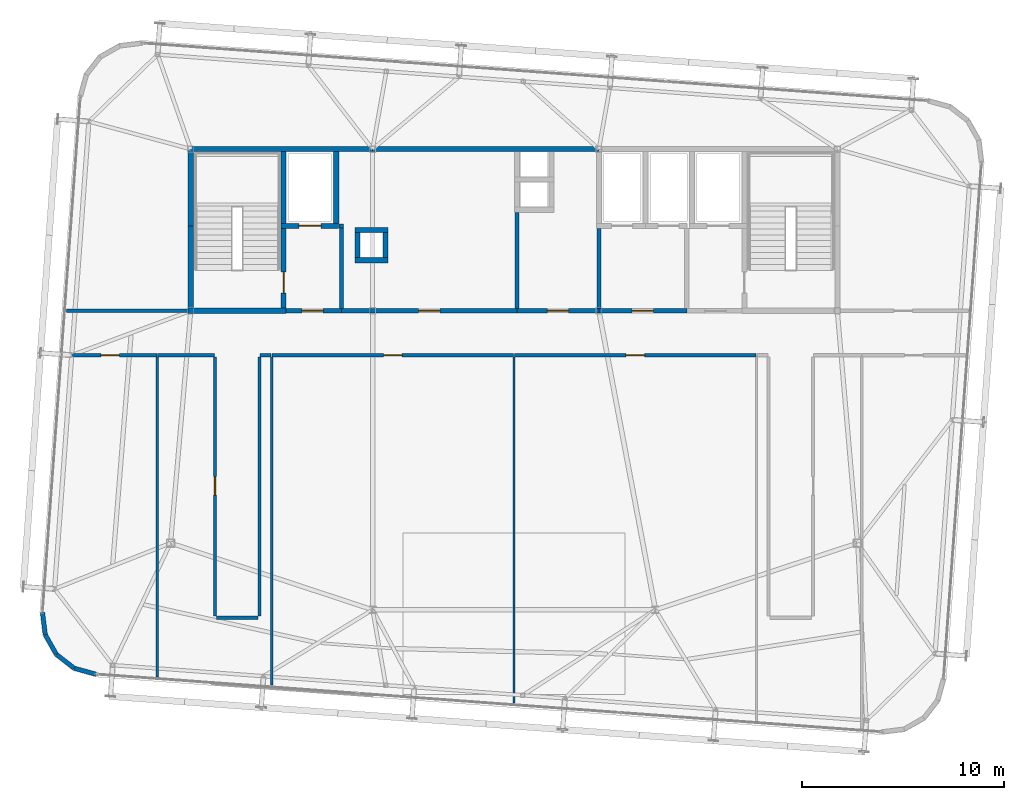
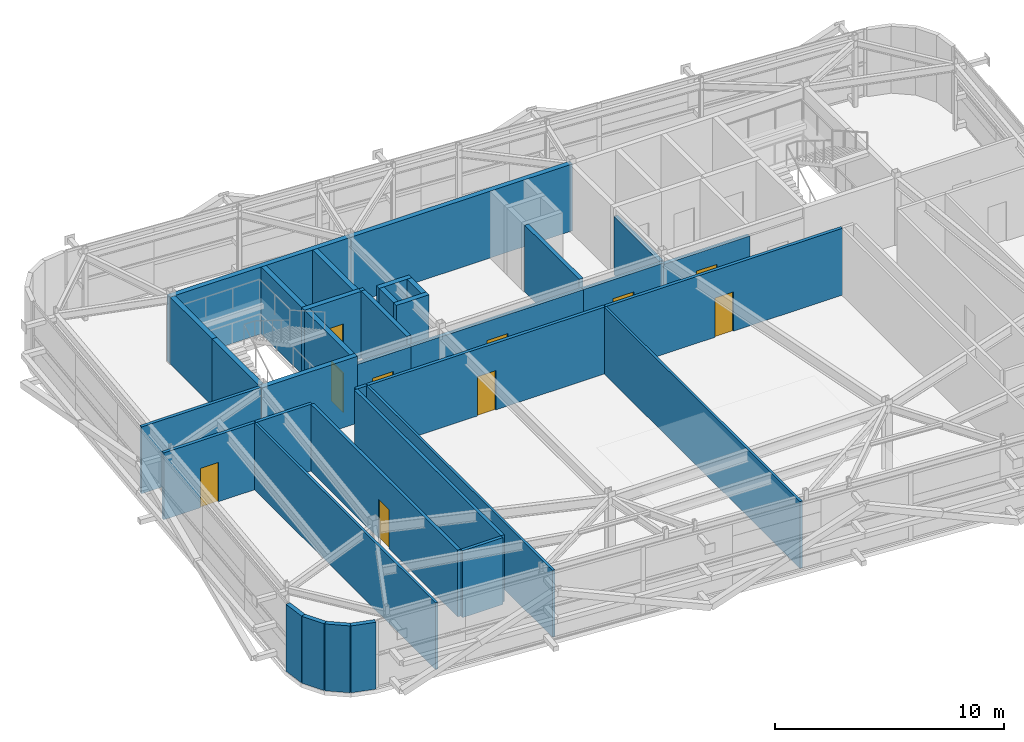
# One storey, part 31 of 35: 37 walls, 10 doors, 10 openings.
"""IFC4 building model written with IfcOpenShell, lengths in metres."""

from ifc_helpers import new_model, si_unit, direction, frame, frame_2d, origin, place, context, subcontext, project, spatial, rectangle, extrude, source, transform, mapped, material, layer, layer_set, type_object, element, fill, save


model = new_model("IFC4")

# Units and contexts
model_context = context("Model", 3, precision=1e-05, world=origin(), true_north=direction((0.0, 1.0)))
body_context = subcontext(model_context, "Body", "Model", "MODEL_VIEW")
ifc_project = project(units=[si_unit("LENGTHUNIT", "METRE"), si_unit("AREAUNIT", "SQUARE_METRE"), si_unit("VOLUMEUNIT", "CUBIC_METRE"), si_unit("PLANEANGLEUNIT", "RADIAN"), si_unit("MASSUNIT", "GRAM", prefix="KILO")], contexts=[model_context])

# Site, building, storey
site_placement = place(None, origin())
site = spatial("IfcSite", under=ifc_project, at=site_placement, CompositionType="ELEMENT")
building_placement = place(site_placement, origin())
building = spatial("IfcBuilding", under=site, at=building_placement, Name="Taldren Reach Tower", CompositionType="ELEMENT")
storey_placement = place(building_placement, frame((0.0, 0.0, 249.199951171875)))
storey = spatial("IfcBuildingStorey", under=building, at=storey_placement, Name="L76", CompositionType="ELEMENT", Elevation=249.199951171875)

# Walls
ifc_material_1 = material(Name="Pale Champagne Anodised Aluminium Cladding", Category="aluminium")
ifc_layer_1 = layer(ifc_material_1, 0.04, Name="Pale Champagne Anodised Aluminium Cladding", Category="aluminium")
ifc_material_2 = material(Name="Mineral Wool Acoustic Insulation", Category="insulation")
ifc_layer_2 = layer(ifc_material_2, 0.06, Name="Mineral Wool Acoustic Insulation", Category="insulation")
ifc_material_3 = material(Name="Steel Gr 350 (C350L0)", Category="steel")
ifc_layer_3 = layer(ifc_material_3, 0.12, Name="Steel Gr 350 (C350L0)", Category="steel")
ifc_layer_set_1 = layer_set([ifc_layer_1, ifc_layer_2, ifc_layer_3], Name="Pale Champagne Aluminium Cladding and Steel Gr 350 Stud Framing")
wall_type_1 = type_object("IfcWallType", Name="EW-CRN-220", PredefinedType="SOLIDWALL", material=ifc_layer_set_1)
shared_shape_1 = source(origin(), body_context, "Body", "SweptSolid", [
    extrude(rectangle(XDim=1.115966796875, YDim=0.219970703125, at=frame_2d((0.55810546875, 0.0))), origin(), (0.0, 0.0, 1.0), 3.570068359375),
])
for number, where, z_axis, x_axis, name in (
    (1, (11.66259765625, 9.072021484375, 0.0), (0.0, 0.0, 1.0), (0.122742076028, -0.992438604032, 0.0), "Rounded-corner pale-metal facade wall L76-SW1"),
    (2, (11.799560546875, 7.964599609375, 0.0), (0.0, 0.0, 1.0), (0.493073284892, -0.869987779067, 0.0), "Rounded-corner pale-metal facade wall L76-SW2"),
    (3, (12.349853515625, 6.99365234375, 0.0), (0.0, 0.0, 1.0), (0.788597772321, -0.614909386406, 0.0), "Rounded-corner pale-metal facade wall L76-SW3"),
):
    element("IfcWall", number, at=place(storey_placement, frame(where, z_axis=z_axis, x_axis=x_axis)), inside=storey, type_object=wall_type_1, Name=name, PredefinedType="SOLIDWALL", context=body_context, shape_type="MappedRepresentation", body=[
        mapped(shared_shape_1, transform((0.0, 0.0, 0.0), scale=1.0)),
    ])
shared_shape_2 = source(origin(), body_context, "Body", "SweptSolid", [
    extrude(rectangle(XDim=1.11572265625, YDim=0.219970703125, at=frame_2d((0.557861328125, 0.0))), origin(), (0.0, 0.0, 1.0), 3.570068359375),
])
wall_1_placement = place(storey_placement, frame((13.22998046875, 6.307373046875, 0.0), z_axis=(0.0, 0.0, 1.0), x_axis=(0.963890028874, -0.266300605026, 0.0)))
element("IfcWall", 4, at=wall_1_placement, inside=storey, type_object=wall_type_1, Name="Rounded-corner pale-metal facade wall L76-SW4", PredefinedType="SOLIDWALL", context=body_context, shape_type="MappedRepresentation", body=[
    mapped(shared_shape_2, transform((0.0, 0.0, 0.0), scale=1.0)),
])
ifc_material_4 = material(Name="Concrete S65 (65 MPa)", Category="concrete")
ifc_layer_4 = layer(ifc_material_4, 0.25)
ifc_layer_set_2 = layer_set([ifc_layer_4], Name="Concrete S65 (65 MPa)")
wall_type_2 = type_object("IfcWallType", Name="IW-CORE-250", PredefinedType="SHEAR", material=ifc_layer_set_2)
shared_shape_3 = source(origin(), body_context, "Body", "SweptSolid", [
    extrude(rectangle(XDim=9.125, YDim=0.25, at=frame_2d((4.5625, 0.0))), origin(), (0.0, 0.0, 1.0), 3.570068359375),
])
wall_2_placement = place(storey_placement, frame((18.875, 32.0, 0.0), z_axis=(0.0, 0.0, 1.0), x_axis=(1.0, 0.0, 0.0)))
element("IfcWall", 5, at=wall_2_placement, inside=storey, type_object=wall_type_2, Name="Rear Core Shear Wall W-CORE-L76-NORTH1", PredefinedType="SHEAR", context=body_context, shape_type="MappedRepresentation", body=[
    mapped(shared_shape_3, transform((0.0, 0.0, 0.0), scale=1.0)),
])
shared_shape_4 = source(origin(), body_context, "Body", "SweptSolid", [
    extrude(rectangle(XDim=11.199951171875, YDim=0.25, at=frame_2d((5.60009765625, 0.0))), origin(), (0.0, 0.0, 1.0), 3.570068359375),
])
wall_3_placement = place(storey_placement, frame((28.0, 32.0, 0.0), z_axis=(0.0, 0.0, 1.0), x_axis=(1.0, 0.0, 0.0)))
element("IfcWall", 6, at=wall_3_placement, inside=storey, type_object=wall_type_2, Name="Rear Core Shear Wall W-CORE-L76-NORTH2", PredefinedType="SHEAR", context=body_context, shape_type="MappedRepresentation", body=[
    mapped(shared_shape_4, transform((0.0, 0.0, 0.0), scale=1.0)),
])
shared_shape_5 = source(origin(), body_context, "Body", "SweptSolid", [
    extrude(rectangle(XDim=4.074951171875, YDim=0.25, at=frame_2d((2.03759765625, 0.0))), origin(), (0.0, 0.0, 1.0), 3.570068359375),
])
wall_4_placement = place(storey_placement, frame((19.0, 24.125, 0.0), z_axis=(0.0, 0.0, 1.0), x_axis=(0.0, 1.0, 0.0)))
element("IfcWall", 7, at=wall_4_placement, inside=storey, type_object=wall_type_2, Name="Rear Core Shear Wall W-CORE-L76-WEST1", PredefinedType="SHEAR", context=body_context, shape_type="MappedRepresentation", body=[
    mapped(shared_shape_5, transform((0.0, 0.0, 0.0), scale=1.0)),
])
shared_shape_6 = source(origin(), body_context, "Body", "SweptSolid", [
    extrude(rectangle(XDim=3.675048828125, YDim=0.25, at=frame_2d((1.83740234375, 0.0))), origin(), (0.0, 0.0, 1.0), 3.570068359375),
])
wall_5_placement = place(storey_placement, frame((19.0, 28.199951171875, 0.0), z_axis=(0.0, 0.0, 1.0), x_axis=(0.0, 1.0, 0.0)))
element("IfcWall", 8, at=wall_5_placement, inside=storey, type_object=wall_type_2, Name="Rear Core Shear Wall W-CORE-L76-WEST2", PredefinedType="SHEAR", context=body_context, shape_type="MappedRepresentation", body=[
    mapped(shared_shape_6, transform((0.0, 0.0, 0.0), scale=1.0)),
])
shared_shape_7 = source(origin(), body_context, "Body", "SweptSolid", [
    extrude(rectangle(XDim=3.550048828125, YDim=0.25, at=frame_2d((1.77490234375, 0.0))), origin(), (0.0, 0.0, 1.0), 3.570068359375),
])
for number, where, z_axis, x_axis, name in (
    (9, (23.60009765625, 28.324951171875, 0.0), (0.0, 0.0, 1.0), (0.0, 1.0, 0.0), "Rear Core Shear Wall W-INT-L76-001"),
    (10, (26.199951171875, 28.324951171875, 0.0), (0.0, 0.0, 1.0), (0.0, 1.0, 0.0), "Rear Core Shear Wall W-INT-L76-005"),
):
    element("IfcWall", number, at=place(storey_placement, frame(where, z_axis=z_axis, x_axis=x_axis)), inside=storey, type_object=wall_type_2, Name=name, PredefinedType="SHEAR", context=body_context, shape_type="MappedRepresentation", body=[
        mapped(shared_shape_7, transform((0.0, 0.0, 0.0), scale=1.0)),
    ])

# Wall, opening, door
shared_shape_8 = source(origin(), body_context, "Body", "SweptSolid", [
    extrude(rectangle(XDim=3.949951171875, YDim=0.25, at=frame_2d((1.97509765625, 0.0))), origin(), (0.0, 0.0, 1.0), 3.570068359375),
])
wall_6_placement = place(storey_placement, frame((23.60009765625, 24.125, 0.0), z_axis=(0.0, 0.0, 1.0), x_axis=(0.0, 1.0, 0.0)))
wall_6 = element("IfcWall", 11, at=wall_6_placement, inside=storey, type_object=wall_type_2, Name="Rear Core Shear Wall W-INT-L76-002", PredefinedType="SHEAR", context=body_context, shape_type="MappedRepresentation", body=[
    mapped(shared_shape_8, transform((0.0, 0.0, 0.0), scale=1.0)),
])
shared_shape_9 = source(origin(), body_context, "Body", "SweptSolid", [
    extrude(rectangle(XDim=1.050048828125, YDim=2.10009765625, at=frame_2d((0.52490234375, 1.050048828125))), frame((0.0, 0.135009765625, 0.0), z_axis=(0.0, -1.0, 0.0), x_axis=(1.0, 0.0, 0.0)), (0.0, 0.0, 1.0), 0.27001953125),
])
opening_1_placement = place(wall_6_placement, frame((0.75, 0.0, 0.0)))
opening_1 = element("IfcOpeningElement", 12, at=opening_1_placement, cuts=wall_6, Name="Opening DF-105", PredefinedType="OPENING", context=body_context, shape_type="MappedRepresentation", body=[
    mapped(shared_shape_9, transform((0.0, 0.0, 0.0), scale=1.0)),
])
ifc_material_5 = material(Name="Fire-Rated Care and Stair Exit Door")
door_type_1 = type_object("IfcDoorType", Name="ID-FIRE-105", OperationType="NOTDEFINED", PredefinedType="DOOR", material=ifc_material_5)
shared_shape_10 = source(origin(), body_context, "Body", "SweptSolid", [
    extrude(rectangle(XDim=1.050048828125, YDim=2.10009765625, at=frame_2d((0.52490234375, 1.050048828125))), frame((0.0, 0.02490234375, 0.0), z_axis=(0.0, -1.0, 0.0), x_axis=(1.0, 0.0, 0.0)), (0.0, 0.0, 1.0), 0.050048828125),
])
door_1_placement = place(opening_1_placement, origin())
door_1 = element("IfcDoor", 13, at=door_1_placement, inside=storey, type_object=door_type_1, Name="Fire Exit Stair Door DR-L76-001", OperationType="SINGLE_SWING_LEFT", OverallHeight=2.10009765625, OverallWidth=1.050048828125, PredefinedType="DOOR", context=body_context, shape_type="MappedRepresentation", body=[
    mapped(shared_shape_10, transform((0.0, 0.0, 0.0), scale=1.0)),
])
fill(opening_1, door_1)

# Wall
shared_shape_11 = source(origin(), body_context, "Body", "SweptSolid", [
    extrude(rectangle(XDim=4.85009765625, YDim=0.25, at=frame_2d((2.425048828125, 0.0))), origin(), (0.0, 0.0, 1.0), 3.570068359375),
])
wall_7_placement = place(storey_placement, frame((18.875, 24.0, 0.0), z_axis=(0.0, 0.0, 1.0), x_axis=(1.0, 0.0, 0.0)))
element("IfcWall", 14, at=wall_7_placement, inside=storey, type_object=wall_type_2, Name="Rear Core Shear Wall W-INT-L76-003", PredefinedType="SHEAR", context=body_context, shape_type="MappedRepresentation", body=[
    mapped(shared_shape_11, transform((0.0, 0.0, 0.0), scale=1.0)),
])

# Wall, opening, door
shared_shape_12 = source(origin(), body_context, "Body", "SweptSolid", [
    extrude(rectangle(XDim=2.849853515625, YDim=0.25, at=frame_2d((1.4248046875, 0.0))), origin(), (0.0, 0.0, 1.0), 3.570068359375),
])
wall_8_placement = place(storey_placement, frame((23.47509765625, 28.199951171875, 0.0), z_axis=(0.0, 0.0, 1.0), x_axis=(1.0, 0.0, 0.0)))
wall_8 = element("IfcWall", 15, at=wall_8_placement, inside=storey, type_object=wall_type_2, Name="Rear Core Shear Wall W-INT-L76-004", PredefinedType="SHEAR", context=body_context, shape_type="MappedRepresentation", body=[
    mapped(shared_shape_12, transform((0.0, 0.0, 0.0), scale=1.0)),
])
shared_shape_13 = source(origin(), body_context, "Body", "SweptSolid", [
    extrude(rectangle(XDim=1.10009765625, YDim=2.14990234375, at=frame_2d((0.550048828125, 1.074951171875))), frame((0.0, 0.135009765625, 0.0), z_axis=(0.0, -1.0, 0.0), x_axis=(1.0, 0.0, 0.0)), (0.0, 0.0, 1.0), 0.27001953125),
])
opening_2_placement = place(wall_8_placement, frame((0.875, 0.0, 0.0)))
opening_2 = element("IfcOpeningElement", 16, at=opening_2_placement, cuts=wall_8, Name="Opening LD-FL1", PredefinedType="OPENING", context=body_context, shape_type="MappedRepresentation", body=[
    mapped(shared_shape_13, transform((0.0, 0.0, 0.0), scale=1.0)),
])
ifc_material_6 = material(Name="Stainless Steel Gr 316 Emergency Lift Landing Door", Category="steel")
door_type_2 = type_object("IfcDoorType", Name="LD-EMG-110", OperationType="SLIDING_TO_LEFT", PredefinedType="DOOR", material=ifc_material_6)
shared_shape_14 = source(origin(), body_context, "Body", "SweptSolid", [
    extrude(rectangle(XDim=1.10009765625, YDim=2.14990234375, at=frame_2d((0.550048828125, 1.074951171875))), frame((0.0, 0.02490234375, 0.0), z_axis=(0.0, -1.0, 0.0), x_axis=(1.0, 0.0, 0.0)), (0.0, 0.0, 1.0), 0.050048828125),
])
door_2_placement = place(opening_2_placement, origin())
door_2 = element("IfcDoor", 17, at=door_2_placement, inside=storey, type_object=door_type_2, Name="Lift Landing Door LD-FL1-L76", OperationType="SLIDING_TO_LEFT", OverallHeight=2.14990234375, OverallWidth=1.10009765625, PredefinedType="DOOR", context=body_context, shape_type="MappedRepresentation", body=[
    mapped(shared_shape_14, transform((0.0, 0.0, 0.0), scale=1.0)),
])
fill(opening_2, door_2)

# Wall
ifc_material_7 = material(Name="Concrete S50 (50 MPa)", Category="concrete")
ifc_layer_5 = layer(ifc_material_7, 0.199951171875)
ifc_layer_set_3 = layer_set([ifc_layer_5], Name="Concrete S50 (50 MPa)")
wall_type_3 = type_object("IfcWallType", Name="IW-CORE-200", PredefinedType="SOLIDWALL", material=ifc_layer_set_3)
shared_shape_15 = source(origin(), body_context, "Body", "SweptSolid", [
    extrude(rectangle(XDim=4.0, YDim=0.199951171875, at=frame_2d((2.0, 0.0))), origin(), (0.0, 0.0, 1.0), 3.570068359375),
])
wall_9_placement = place(storey_placement, frame((26.449951171875, 24.10009765625, 0.0), z_axis=(0.0, 0.0, 1.0), x_axis=(0.0, 1.0, 0.0)))
element("IfcWall", 18, at=wall_9_placement, inside=storey, type_object=wall_type_3, Name="Rear Core Shear Wall W-INT-L76-006", PredefinedType="SOLIDWALL", context=body_context, shape_type="MappedRepresentation", body=[
    mapped(shared_shape_15, transform((0.0, 0.0, 0.0), scale=1.0)),
])

# Wall, opening, door
shared_shape_16 = source(origin(), body_context, "Body", "SweptSolid", [
    extrude(rectangle(XDim=2.724853515625, YDim=0.199951171875, at=frame_2d((1.3623046875, 0.0))), origin(), (0.0, 0.0, 1.0), 3.110107421875),
])
wall_10_placement = place(storey_placement, frame((23.72509765625, 24.0, 0.0), z_axis=(0.0, 0.0, 1.0), x_axis=(1.0, 0.0, 0.0)))
wall_10 = element("IfcWall", 19, at=wall_10_placement, inside=storey, type_object=wall_type_3, Name="Rear Core Shear Wall W-INT-L76-007", PredefinedType="SOLIDWALL", context=body_context, shape_type="MappedRepresentation", body=[
    mapped(shared_shape_16, transform((0.0, 0.0, 0.0), scale=1.0)),
])
shared_shape_17 = source(origin(), body_context, "Body", "SweptSolid", [
    extrude(rectangle(XDim=1.050048828125, YDim=2.10009765625, at=frame_2d((0.52490234375, 1.050048828125))), frame((0.0, 0.10986328125, 0.0), z_axis=(0.0, -1.0, 0.0), x_axis=(1.0, 0.0, 0.0)), (0.0, 0.0, 1.0), 0.219970703125),
])
opening_3_placement = place(wall_10_placement, frame((0.77490234375, 0.0, 0.0)))
opening_3 = element("IfcOpeningElement", 20, at=opening_3_placement, cuts=wall_10, Name="Opening DF-105", PredefinedType="OPENING", context=body_context, shape_type="MappedRepresentation", body=[
    mapped(shared_shape_17, transform((0.0, 0.0, 0.0), scale=1.0)),
])
door_3_placement = place(opening_3_placement, origin())
door_3 = element("IfcDoor", 21, at=door_3_placement, inside=storey, type_object=door_type_1, Name="Interior Door DR-L76-002", OperationType="SINGLE_SWING_LEFT", OverallHeight=2.10009765625, OverallWidth=1.050048828125, PredefinedType="DOOR", context=body_context, shape_type="MappedRepresentation", body=[
    mapped(shared_shape_10, transform((0.0, 0.0, 0.0), scale=1.0)),
])
fill(opening_3, door_3)

# Walls
shared_shape_18 = source(origin(), body_context, "Body", "SweptSolid", [
    extrude(rectangle(XDim=1.25, YDim=0.25, at=frame_2d((0.625, 0.0))), origin(), (0.0, 0.0, 1.0), 3.570068359375),
])
for number, where, z_axis, x_axis, name in (
    (22, (28.64990234375, 26.625, 0.0), (0.0, 0.0, 1.0), (0.0, 1.0, 0.0), "Rear Core Shear Wall W-INT-L76-021"),
    (23, (27.25, 27.875, 0.0), (0.0, 0.0, 1.0), (0.0, -1.0, 0.0), "Rear Core Shear Wall W-INT-L76-022"),
):
    element("IfcWall", number, at=place(storey_placement, frame(where, z_axis=z_axis, x_axis=x_axis)), inside=storey, type_object=wall_type_2, Name=name, PredefinedType="SHEAR", context=body_context, shape_type="MappedRepresentation", body=[
        mapped(shared_shape_18, transform((0.0, 0.0, 0.0), scale=1.0)),
    ])
shared_shape_19 = source(origin(), body_context, "Body", "SweptSolid", [
    extrude(rectangle(XDim=1.64990234375, YDim=0.25, at=frame_2d((0.824951171875, 0.0))), origin(), (0.0, 0.0, 1.0), 3.570068359375),
])
for number, where, z_axis, x_axis, name in (
    (24, (28.77490234375, 28.0, 0.0), (0.0, 0.0, 1.0), (-1.0, 0.0, 0.0), "Rear Core Shear Wall W-INT-L76-023"),
    (25, (27.125, 26.5, 0.0), (0.0, 0.0, 1.0), (1.0, 0.0, 0.0), "Rear Core Shear Wall W-INT-L76-024"),
):
    element("IfcWall", number, at=place(storey_placement, frame(where, z_axis=z_axis, x_axis=x_axis)), inside=storey, type_object=wall_type_2, Name=name, PredefinedType="SHEAR", context=body_context, shape_type="MappedRepresentation", body=[
        mapped(shared_shape_19, transform((0.0, 0.0, 0.0), scale=1.0)),
    ])
shared_shape_20 = source(origin(), body_context, "Body", "SweptSolid", [
    extrude(rectangle(XDim=3.974853515625, YDim=0.199951171875, at=frame_2d((1.9873046875, 0.0))), origin(), (0.0, 0.0, 1.0), 3.110107421875),
])
wall_11_placement = place(storey_placement, frame((39.199951171875, 24.10009765625, 0.0), z_axis=(0.0, 0.0, 1.0), x_axis=(0.0, 1.0, 0.0)))
element("IfcWall", 26, at=wall_11_placement, inside=storey, type_object=wall_type_3, Name="Rear Core Shear Wall W-INT-L76-029", PredefinedType="SOLIDWALL", context=body_context, shape_type="MappedRepresentation", body=[
    mapped(shared_shape_20, transform((0.0, 0.0, 0.0), scale=1.0)),
])

# Wall, opening, door
shared_shape_21 = source(origin(), body_context, "Body", "SweptSolid", [
    extrude(rectangle(XDim=4.35009765625, YDim=0.199951171875, at=frame_2d((2.175048828125, 0.0))), origin(), (0.0, 0.0, 1.0), 3.037109375),
])
wall_12_placement = place(storey_placement, frame((43.550048828125, 24.0, 0.0), z_axis=(0.0, 0.0, 1.0), x_axis=(-1.0, 0.0, 0.0)))
wall_12 = element("IfcWall", 27, at=wall_12_placement, inside=storey, type_object=wall_type_3, Name="Rear Core Shear Wall W-INT-L76-030", PredefinedType="SOLIDWALL", context=body_context, shape_type="MappedRepresentation", body=[
    mapped(shared_shape_21, transform((0.0, 0.0, 0.0), scale=1.0)),
])
opening_4_placement = place(wall_12_placement, frame((1.64990234375, 0.0, 0.0)))
opening_4 = element("IfcOpeningElement", 28, at=opening_4_placement, cuts=wall_12, Name="Opening DF-105", PredefinedType="OPENING", context=body_context, shape_type="MappedRepresentation", body=[
    mapped(shared_shape_17, transform((0.0, 0.0, 0.0), scale=1.0)),
])
door_4_placement = place(opening_4_placement, frame((1.050048828125, 0.0, 0.0), z_axis=(0.0, 0.0, 1.0), x_axis=(-1.0, 0.0, 0.0)))
door_4 = element("IfcDoor", 29, at=door_4_placement, inside=storey, type_object=door_type_1, Name="Interior Door DR-L76-005", OperationType="SINGLE_SWING_LEFT", OverallHeight=2.10009765625, OverallWidth=1.050048828125, PredefinedType="DOOR", context=body_context, shape_type="MappedRepresentation", body=[
    mapped(shared_shape_10, transform((0.0, 0.0, 0.0), scale=1.0)),
])
fill(opening_4, door_4)

# Wall
shared_shape_22 = source(origin(), body_context, "Body", "SweptSolid", [
    extrude(rectangle(XDim=4.77490234375, YDim=0.199951171875, at=frame_2d((2.387451171875, 0.0))), origin(), (0.0, 0.0, 1.0), 3.570068359375),
])
wall_13_placement = place(storey_placement, frame((35.14990234375, 28.875, 0.0), z_axis=(0.0, 0.0, 1.0), x_axis=(0.0, -1.0, 0.0)))
element("IfcWall", 30, at=wall_13_placement, inside=storey, type_object=wall_type_3, Name="Rear Core Shear Wall W-INT-L76-031", PredefinedType="SOLIDWALL", context=body_context, shape_type="MappedRepresentation", body=[
    mapped(shared_shape_22, transform((0.0, 0.0, 0.0), scale=1.0)),
])

# Wall, opening, door
shared_shape_23 = source(origin(), body_context, "Body", "SweptSolid", [
    extrude(rectangle(XDim=8.699951171875, YDim=0.199951171875, at=frame_2d((4.35009765625, 0.0))), origin(), (0.0, 0.0, 1.0), 3.110107421875),
])
wall_14_placement = place(storey_placement, frame((35.14990234375, 24.0, 0.0), z_axis=(0.0, 0.0, 1.0), x_axis=(-1.0, 0.0, 0.0)))
wall_14 = element("IfcWall", 31, at=wall_14_placement, inside=storey, type_object=wall_type_3, Name="Rear Core Shear Wall W-INT-L76-032", PredefinedType="SOLIDWALL", context=body_context, shape_type="MappedRepresentation", body=[
    mapped(shared_shape_23, transform((0.0, 0.0, 0.0), scale=1.0)),
])
opening_5_placement = place(wall_14_placement, frame((3.824951171875, 0.0, 0.0)))
opening_5 = element("IfcOpeningElement", 32, at=opening_5_placement, cuts=wall_14, Name="Opening DF-105", PredefinedType="OPENING", context=body_context, shape_type="MappedRepresentation", body=[
    mapped(shared_shape_17, transform((0.0, 0.0, 0.0), scale=1.0)),
])
door_5_placement = place(opening_5_placement, frame((1.050048828125, 0.0, 0.0), z_axis=(0.0, 0.0, 1.0), x_axis=(-1.0, 0.0, 0.0)))
door_5 = element("IfcDoor", 33, at=door_5_placement, inside=storey, type_object=door_type_1, Name="Interior Door DR-L76-006", OperationType="SINGLE_SWING_RIGHT", OverallHeight=2.10009765625, OverallWidth=1.050048828125, PredefinedType="DOOR", context=body_context, shape_type="MappedRepresentation", body=[
    mapped(shared_shape_10, transform((0.0, 0.0, 0.0), scale=1.0)),
])
fill(opening_5, door_5)

shared_shape_24 = source(origin(), body_context, "Body", "SweptSolid", [
    extrude(rectangle(XDim=4.050048828125, YDim=0.199951171875, at=frame_2d((2.02490234375, 0.0))), origin(), (0.0, 0.0, 1.0), 3.110107421875),
])
wall_15_placement = place(storey_placement, frame((39.199951171875, 24.0, 0.0), z_axis=(0.0, 0.0, 1.0), x_axis=(-1.0, 0.0, 0.0)))
wall_15 = element("IfcWall", 34, at=wall_15_placement, inside=storey, type_object=wall_type_3, Name="Rear Core Shear Wall W-INT-L76-033", PredefinedType="SOLIDWALL", context=body_context, shape_type="MappedRepresentation", body=[
    mapped(shared_shape_24, transform((0.0, 0.0, 0.0), scale=1.0)),
])
opening_6_placement = place(wall_15_placement, frame((1.5, 0.0, 0.0)))
opening_6 = element("IfcOpeningElement", 35, at=opening_6_placement, cuts=wall_15, Name="Opening DF-105", PredefinedType="OPENING", context=body_context, shape_type="MappedRepresentation", body=[
    mapped(shared_shape_17, transform((0.0, 0.0, 0.0), scale=1.0)),
])
door_6_placement = place(opening_6_placement, frame((1.050048828125, 0.0, 0.0), z_axis=(0.0, 0.0, 1.0), x_axis=(-1.0, 0.0, 0.0)))
door_6 = element("IfcDoor", 36, at=door_6_placement, inside=storey, type_object=door_type_1, Name="Interior Door DR-L76-007", OperationType="SINGLE_SWING_LEFT", OverallHeight=2.10009765625, OverallWidth=1.050048828125, PredefinedType="DOOR", context=body_context, shape_type="MappedRepresentation", body=[
    mapped(shared_shape_10, transform((0.0, 0.0, 0.0), scale=1.0)),
])
fill(opening_6, door_6)

ifc_material_8 = material(Name="Fire-Rated Acoustic Plasterboard Stud Wall", Category="gypsum")
ifc_layer_6 = layer(ifc_material_8, 0.159912109375)
ifc_layer_set_4 = layer_set([ifc_layer_6], Name="Fire-Rated Acoustic Plasterboard Stud Wall")
wall_type_4 = type_object("IfcWallType", Name="IW-FIRE-160", PredefinedType="PARTITIONING", material=ifc_layer_set_4)
shared_shape_25 = source(origin(), body_context, "Body", "SweptSolid", [
    extrude(rectangle(XDim=4.62353515625, YDim=0.159912109375, at=frame_2d((2.311767578125, 0.0))), origin(), (0.0, 0.0, 1.0), 3.570068359375),
])
wall_16_placement = place(storey_placement, frame((17.31689453125, 21.800048828125, 0.0), z_axis=(0.0, 0.0, 1.0), x_axis=(-1.0, 0.0, 0.0)))
wall_16 = element("IfcWall", 37, at=wall_16_placement, inside=storey, type_object=wall_type_4, Name="Interior Partition Wall W-INT-L76-034", PredefinedType="PARTITIONING", context=body_context, shape_type="MappedRepresentation", body=[
    mapped(shared_shape_25, transform((0.0, 0.0, 0.0), scale=1.0)),
])
shared_shape_26 = source(origin(), body_context, "Body", "SweptSolid", [
    extrude(rectangle(XDim=0.919921875, YDim=2.10009765625, at=frame_2d((0.4599609375, 1.050048828125))), frame((0.0, 0.08984375, 0.0), z_axis=(0.0, -1.0, 0.0), x_axis=(1.0, 0.0, 0.0)), (0.0, 0.0, 1.0), 0.179931640625),
])
opening_7_placement = place(wall_16_placement, frame((1.851806640625, 0.0, 0.0)))
opening_7 = element("IfcOpeningElement", 38, at=opening_7_placement, cuts=wall_16, Name="Opening DI-092", PredefinedType="OPENING", context=body_context, shape_type="MappedRepresentation", body=[
    mapped(shared_shape_26, transform((0.0, 0.0, 0.0), scale=1.0)),
])
ifc_material_9 = material(Name="Solid-Core Timber Suite Door", Category="wood")
door_type_3 = type_object("IfcDoorType", Name="ID-INT-092", OperationType="NOTDEFINED", PredefinedType="DOOR", material=ifc_material_9)
shared_shape_27 = source(origin(), body_context, "Body", "SweptSolid", [
    extrude(rectangle(XDim=0.919921875, YDim=2.10009765625, at=frame_2d((0.4599609375, 1.050048828125))), frame((0.0, 0.02490234375, 0.0), z_axis=(0.0, -1.0, 0.0), x_axis=(1.0, 0.0, 0.0)), (0.0, 0.0, 1.0), 0.050048828125),
])
door_7_placement = place(opening_7_placement, origin())
door_7 = element("IfcDoor", 39, at=door_7_placement, inside=storey, type_object=door_type_3, Name="Interior Door DR-L76-008", OperationType="SINGLE_SWING_LEFT", OverallHeight=2.10009765625, OverallWidth=0.919921875, PredefinedType="DOOR", context=body_context, shape_type="MappedRepresentation", body=[
    mapped(shared_shape_27, transform((0.0, 0.0, 0.0), scale=1.0)),
])
fill(opening_7, door_7)

shared_shape_28 = source(origin(), body_context, "Body", "SweptSolid", [
    extrude(rectangle(XDim=12.840087890625, YDim=0.159912109375, at=frame_2d((6.419921875, 0.0))), origin(), (0.0, 0.0, 1.0), 3.570068359375),
])
wall_17_placement = place(storey_placement, frame((20.199951171875, 8.8798828125, 0.0), z_axis=(0.0, 0.0, 1.0), x_axis=(0.0, 1.0, 0.0)))
wall_17 = element("IfcWall", 40, at=wall_17_placement, inside=storey, type_object=wall_type_4, Name="Interior Partition Wall W-INT-L76-035", PredefinedType="PARTITIONING", context=body_context, shape_type="MappedRepresentation", body=[
    mapped(shared_shape_28, transform((0.0, 0.0, 0.0), scale=1.0)),
])
opening_8_placement = place(wall_17_placement, frame((5.98974609375, 0.0, 0.0)))
opening_8 = element("IfcOpeningElement", 41, at=opening_8_placement, cuts=wall_17, Name="Opening DI-092", PredefinedType="OPENING", context=body_context, shape_type="MappedRepresentation", body=[
    mapped(shared_shape_26, transform((0.0, 0.0, 0.0), scale=1.0)),
])
door_8_placement = place(opening_8_placement, origin())
door_8 = element("IfcDoor", 42, at=door_8_placement, inside=storey, type_object=door_type_3, Name="Interior Door DR-L76-009", OperationType="SINGLE_SWING_RIGHT", OverallHeight=2.10009765625, OverallWidth=0.919921875, PredefinedType="DOOR", context=body_context, shape_type="MappedRepresentation", body=[
    mapped(shared_shape_27, transform((0.0, 0.0, 0.0), scale=1.0)),
])
fill(opening_8, door_8)

# Walls
wall_18_placement = place(storey_placement, frame((22.39990234375, 21.719970703125, 0.0), z_axis=(0.0, 0.0, 1.0), x_axis=(0.0, -1.0, 0.0)))
element("IfcWall", 43, at=wall_18_placement, inside=storey, type_object=wall_type_4, Name="Interior Partition Wall W-INT-L76-036", PredefinedType="PARTITIONING", context=body_context, shape_type="MappedRepresentation", body=[
    mapped(shared_shape_28, transform((0.0, 0.0, 0.0), scale=1.0)),
])
shared_shape_29 = source(origin(), body_context, "Body", "SweptSolid", [
    extrude(rectangle(XDim=2.822509765625, YDim=0.159912109375, at=frame_2d((1.4111328125, 0.0))), origin(), (0.0, 0.0, 1.0), 3.570068359375),
])
wall_19_placement = place(storey_placement, frame((20.1796875, 21.800048828125, 0.0), z_axis=(0.0, 0.0, 1.0), x_axis=(-1.0, 0.0, 0.0)))
element("IfcWall", 44, at=wall_19_placement, inside=storey, type_object=wall_type_4, Name="Interior Partition Wall W-INT-L76-037", PredefinedType="PARTITIONING", context=body_context, shape_type="MappedRepresentation", body=[
    mapped(shared_shape_29, transform((0.0, 0.0, 0.0), scale=1.0)),
])
shared_shape_30 = source(origin(), body_context, "Body", "SweptSolid", [
    extrude(rectangle(XDim=2.0400390625, YDim=0.159912109375, at=frame_2d((1.02001953125, 0.0))), origin(), (0.0, 0.0, 1.0), 3.570068359375),
])
wall_20_placement = place(storey_placement, frame((22.320068359375, 8.800048828125, 0.0), z_axis=(0.0, 0.0, 1.0), x_axis=(-1.0, 0.0, 0.0)))
element("IfcWall", 45, at=wall_20_placement, inside=storey, type_object=wall_type_4, Name="Interior Partition Wall W-INT-L76-038", PredefinedType="PARTITIONING", context=body_context, shape_type="MappedRepresentation", body=[
    mapped(shared_shape_30, transform((0.0, 0.0, 0.0), scale=1.0)),
])
shared_shape_31 = source(origin(), body_context, "Body", "SweptSolid", [
    extrude(rectangle(XDim=0.559326171875, YDim=0.159912109375, at=frame_2d((0.27978515625, 0.0))), origin(), (0.0, 0.0, 1.0), 3.570068359375),
])
wall_21_placement = place(storey_placement, frame((22.979736328125, 21.800048828125, 0.0), z_axis=(0.0, 0.0, 1.0), x_axis=(-1.0, 0.0, 0.0)))
element("IfcWall", 46, at=wall_21_placement, inside=storey, type_object=wall_type_4, Name="Interior Partition Wall W-INT-L76-039", PredefinedType="PARTITIONING", context=body_context, shape_type="MappedRepresentation", body=[
    mapped(shared_shape_31, transform((0.0, 0.0, 0.0), scale=1.0)),
])

# Wall, opening, door
shared_shape_32 = source(origin(), body_context, "Body", "SweptSolid", [
    extrude(rectangle(XDim=11.95947265625, YDim=0.159912109375, at=frame_2d((5.979736328125, 0.0))), origin(), (0.0, 0.0, 1.0), 3.570068359375),
])
wall_22_placement = place(storey_placement, frame((34.979736328125, 21.800048828125, 0.0), z_axis=(0.0, 0.0, 1.0), x_axis=(-1.0, 0.0, 0.0)))
wall_22 = element("IfcWall", 47, at=wall_22_placement, inside=storey, type_object=wall_type_4, Name="Interior Partition Wall W-INT-L76-040", PredefinedType="PARTITIONING", context=body_context, shape_type="MappedRepresentation", body=[
    mapped(shared_shape_32, transform((0.0, 0.0, 0.0), scale=1.0)),
])
opening_9_placement = place(wall_22_placement, frame((5.519775390625, 0.0, 0.0)))
opening_9 = element("IfcOpeningElement", 48, at=opening_9_placement, cuts=wall_22, Name="Opening DI-092", PredefinedType="OPENING", context=body_context, shape_type="MappedRepresentation", body=[
    mapped(shared_shape_26, transform((0.0, 0.0, 0.0), scale=1.0)),
])
door_9_placement = place(opening_9_placement, origin())
door_9 = element("IfcDoor", 49, at=door_9_placement, inside=storey, type_object=door_type_3, Name="Interior Door DR-L76-010", OperationType="SINGLE_SWING_LEFT", OverallHeight=2.10009765625, OverallWidth=0.919921875, PredefinedType="DOOR", context=body_context, shape_type="MappedRepresentation", body=[
    mapped(shared_shape_27, transform((0.0, 0.0, 0.0), scale=1.0)),
])
fill(opening_9, door_9)

wall_23_placement = place(storey_placement, frame((46.979736328125, 21.800048828125, 0.0), z_axis=(0.0, 0.0, 1.0), x_axis=(-1.0, 0.0, 0.0)))
wall_23 = element("IfcWall", 50, at=wall_23_placement, inside=storey, type_object=wall_type_4, Name="Interior Partition Wall W-INT-L76-041", PredefinedType="PARTITIONING", context=body_context, shape_type="MappedRepresentation", body=[
    mapped(shared_shape_32, transform((0.0, 0.0, 0.0), scale=1.0)),
])
opening_10_placement = place(wall_23_placement, frame((5.519775390625, 0.0, 0.0)))
opening_10 = element("IfcOpeningElement", 51, at=opening_10_placement, cuts=wall_23, Name="Opening DI-092", PredefinedType="OPENING", context=body_context, shape_type="MappedRepresentation", body=[
    mapped(shared_shape_26, transform((0.0, 0.0, 0.0), scale=1.0)),
])
door_10_placement = place(opening_10_placement, origin())
door_10 = element("IfcDoor", 52, at=door_10_placement, inside=storey, type_object=door_type_3, Name="Interior Door DR-L76-011", OperationType="SINGLE_SWING_RIGHT", OverallHeight=2.10009765625, OverallWidth=0.919921875, PredefinedType="DOOR", context=body_context, shape_type="MappedRepresentation", body=[
    mapped(shared_shape_27, transform((0.0, 0.0, 0.0), scale=1.0)),
])
fill(opening_10, door_10)

# Walls
shared_shape_33 = source(origin(), body_context, "Body", "SweptSolid", [
    extrude(rectangle(XDim=6.03173828125, YDim=0.159912109375, at=frame_2d((3.015869140625, 0.0))), origin(), (0.0, 0.0, 1.0), 3.570068359375),
])
wall_24_placement = place(storey_placement, frame((12.84326171875, 24.0, 0.0), z_axis=(0.0, 0.0, 1.0), x_axis=(1.0, 0.0, 0.0)))
element("IfcWall", 53, at=wall_24_placement, inside=storey, type_object=wall_type_4, Name="Interior Partition Wall W-INT-L76-049", PredefinedType="PARTITIONING", context=body_context, shape_type="MappedRepresentation", body=[
    mapped(shared_shape_33, transform((0.0, 0.0, 0.0), scale=1.0)),
])
ifc_material_10 = material(Name="Insulated Residential Stud Partition", Category="gypsum")
ifc_layer_7 = layer(ifc_material_10, 0.1201171875)
ifc_layer_set_5 = layer_set([ifc_layer_7], Name="Insulated Residential Stud Partition")
wall_type_5 = type_object("IfcWallType", Name="IW-PART-120", PredefinedType="PARTITIONING", material=ifc_layer_set_5)
shared_shape_34 = source(origin(), body_context, "Body", "SweptSolid", [
    extrude(rectangle(XDim=15.836181640625, YDim=0.1201171875, at=frame_2d((7.91796875, 0.0))), origin(), (0.0, 0.0, 1.0), 3.570068359375),
])
wall_25_placement = place(storey_placement, frame((17.3369140625, 21.719970703125, 0.0), z_axis=(0.0, 0.0, 1.0), x_axis=(0.0, -1.0, 0.0)))
element("IfcWall", 54, at=wall_25_placement, inside=storey, type_object=wall_type_5, Name="Interior Partition Wall W-INT-L76-050", PredefinedType="PARTITIONING", context=body_context, shape_type="MappedRepresentation", body=[
    mapped(shared_shape_34, transform((0.0, 0.0, 0.0), scale=1.0)),
])
shared_shape_35 = source(origin(), body_context, "Body", "SweptSolid", [
    extrude(rectangle(XDim=16.248291015625, YDim=0.1201171875, at=frame_2d((8.1240234375, 0.0))), origin(), (0.0, 0.0, 1.0), 3.570068359375),
])
wall_26_placement = place(storey_placement, frame((23.0, 21.718017578125, 0.0), z_axis=(0.0, 0.0, 1.0), x_axis=(0.0, -1.0, 0.0)))
element("IfcWall", 55, at=wall_26_placement, inside=storey, type_object=wall_type_5, Name="Interior Partition Wall W-INT-L76-051", PredefinedType="PARTITIONING", context=body_context, shape_type="MappedRepresentation", body=[
    mapped(shared_shape_35, transform((0.0, 0.0, 0.0), scale=1.0)),
])
shared_shape_36 = source(origin(), body_context, "Body", "SweptSolid", [
    extrude(rectangle(XDim=17.129638671875, YDim=0.1201171875, at=frame_2d((8.56494140625, 0.0))), origin(), (0.0, 0.0, 1.0), 3.570068359375),
])
wall_27_placement = place(storey_placement, frame((35.0, 21.718017578125, 0.0), z_axis=(0.0, 0.0, 1.0), x_axis=(0.0, -1.0, 0.0)))
element("IfcWall", 56, at=wall_27_placement, inside=storey, type_object=wall_type_5, Name="Interior Partition Wall W-INT-L76-052", PredefinedType="PARTITIONING", context=body_context, shape_type="MappedRepresentation", body=[
    mapped(shared_shape_36, transform((0.0, 0.0, 0.0), scale=1.0)),
])
shared_shape_37 = source(origin(), body_context, "Body", "SweptSolid", [
    extrude(rectangle(XDim=0.22509765625, YDim=0.199951171875, at=frame_2d((0.112548828125, 0.0))), origin(), (0.0, 0.0, 1.0), 3.570068359375),
])
wall_28_placement = place(storey_placement, frame((26.324951171875, 28.199951171875, 0.0), z_axis=(0.0, 0.0, 1.0), x_axis=(1.0, 0.0, 0.0)))
element("IfcWall", 57, at=wall_28_placement, inside=storey, type_object=wall_type_3, Name="Rear Core Partition Wall W-INT-L76-055", PredefinedType="SOLIDWALL", context=body_context, shape_type="MappedRepresentation", body=[
    mapped(shared_shape_37, transform((0.0, 0.0, 0.0), scale=1.0)),
])

save(model, "model.ifc")
